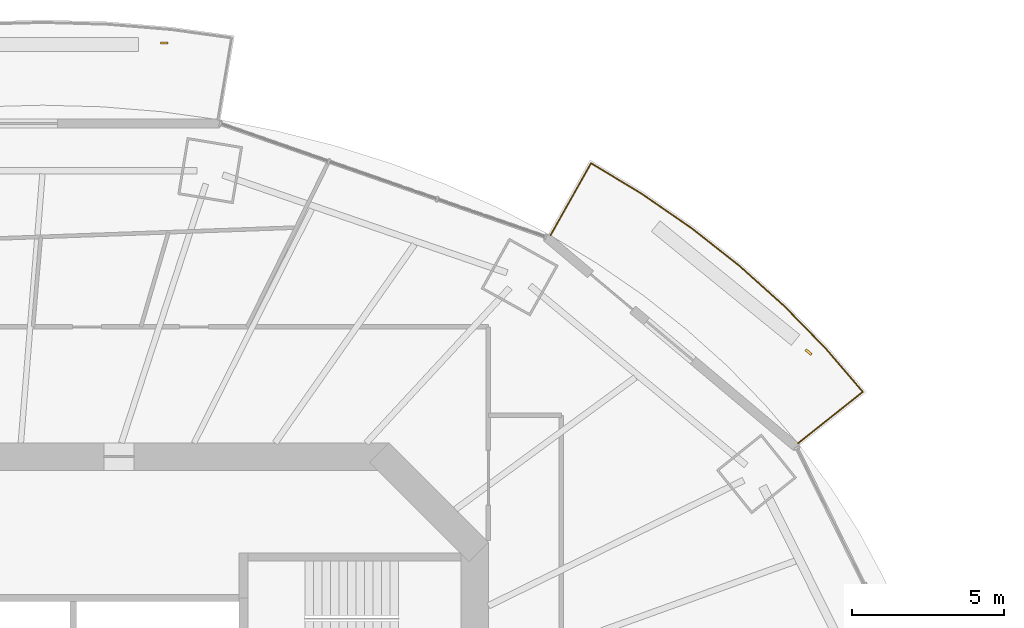
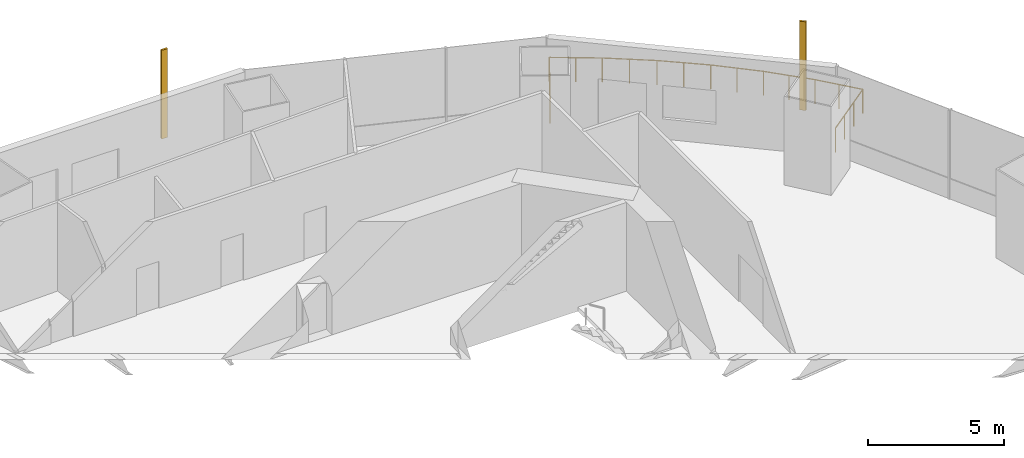
# One storey, part 18 of 19: 2 shading devices, 1 railing.
"""IFC4 building model written with IfcOpenShell, lengths in metres."""

from ifc_helpers import new_model, si_unit, direction, frame, origin, origin_2d, place, context, subcontext, project, spatial, rectangle, circle, extrude, material, material_profile, profile_set, type_object, element, save


model = new_model("IFC4")

# Units and contexts
model_context = context("Model", 3, precision=1e-05, world=origin(), true_north=direction((0.0, 1.0)))
body_context = subcontext(model_context, "Body", "Model", "MODEL_VIEW")
ifc_project = project(units=[si_unit("LENGTHUNIT", "METRE"), si_unit("AREAUNIT", "SQUARE_METRE"), si_unit("VOLUMEUNIT", "CUBIC_METRE"), si_unit("PLANEANGLEUNIT", "RADIAN"), si_unit("MASSUNIT", "GRAM", prefix="KILO")], contexts=[model_context])

# Site, building, storey
site_placement = place(None, origin())
site = spatial("IfcSite", under=ifc_project, at=site_placement, CompositionType="ELEMENT")
building_placement = place(site_placement, origin())
building = spatial("IfcBuilding", under=site, at=building_placement, Name="Marenthal Gate Tower", CompositionType="ELEMENT")
storey_placement = place(building_placement, frame((0.0, 0.0, 256.5)))
storey = spatial("IfcBuildingStorey", under=building, at=storey_placement, Name="L57", CompositionType="ELEMENT", Elevation=256.5)

# Railing
ifc_material_1 = material(Name="Stainless steel", Category="steel")
railing_type = type_object("IfcRailingType", Name="Balcony guard 1100", PredefinedType="GUARDRAIL", material=ifc_material_1)
railing_placement = place(storey_placement, frame((18.494140625, 20.275634765625, 0.0)))
element("IfcRailing", 1, at=railing_placement, inside=storey, type_object=railing_type, Name="Balcony guard L57 bay 2", PredefinedType="GUARDRAIL", context=body_context, shape_type="SweptSolid", body=[
    extrude(circle(Radius=0.02392578125, at=origin_2d()), frame((0.0, 0.0, 1.076171875), z_axis=(0.489935400912, 0.871634477681, -0.014718704112), x_axis=(-0.87172890858, 0.489988479401, 0.0)), (0.0, 0.0, 1.0), 2.72021484375),
    extrude(circle(Radius=0.02392578125, at=origin_2d()), frame((1.332763671875, 2.37109375, 1.0361328125), z_axis=(0.855927117695, -0.517096479581, 0.0), x_axis=(0.517096479581, 0.855927117695, 0.0)), (0.0, 0.0, 1.0), 1.94482421875),
    extrude(circle(Radius=0.02392578125, at=origin_2d()), frame((2.997314453125, 1.365478515625, 1.0361328125), z_axis=(0.823079547335, -0.567926103256, 0.0), x_axis=(0.567926103256, 0.823079547335, 0.0)), (0.0, 0.0, 1.0), 2.00830078125),
    extrude(circle(Radius=0.02392578125, at=origin_2d()), frame((4.650390625, 0.224853515625, 1.0361328125), z_axis=(0.785663114819, -0.618654564367, 0.0), x_axis=(0.618654564367, 0.785663114819, 0.0)), (0.0, 0.0, 1.0), 1.992431640625),
    extrude(circle(Radius=0.02392578125, at=origin_2d()), frame((6.2158203125, -1.0078125, 1.0361328125), z_axis=(0.744196610974, -0.667960630737, 0.0), x_axis=(0.667960630737, 0.744196610974, 0.0)), (0.0, 0.0, 1.0), 1.975830078125),
    extrude(circle(Radius=0.02392578125, at=origin_2d()), frame((7.686279296875, -2.32763671875, 1.0361328125), z_axis=(0.698521536326, -0.715589032398, 0.0), x_axis=(0.715589032398, 0.698521536326, 0.0)), (0.0, 0.0, 1.0), 1.959716796875),
    extrude(circle(Radius=0.02392578125, at=origin_2d()), frame((9.05517578125, -3.72998046875, 1.0361328125), z_axis=(0.649809223688, -0.760097344298, 0.0), x_axis=(0.760097344298, 0.649809223688, 0.0)), (0.0, 0.0, 1.0), 1.864013671875),
    extrude(circle(Radius=0.02392578125, at=origin_2d()), frame((10.266357421875, -5.146728515625, 1.0361328125), z_axis=(-0.783055581805, -0.621777543925, 0.014718752483), x_axis=(0.621844906334, -0.783140416826, 0.0)), (0.0, 0.0, 1.0), 2.72021484375),
    extrude(circle(Radius=0.02099609375, at=origin_2d()), origin(), (0.0, 0.0, 1.0), 1.052001953125),
    extrude(circle(Radius=0.02099609375, at=origin_2d()), frame((0.4443359375, 0.790283203125, -0.013427734375)), (0.0, 0.0, 1.0), 1.052001953125),
    extrude(circle(Radius=0.02099609375, at=origin_2d()), frame((0.888427734375, 1.580810546875, -0.026611328125)), (0.0, 0.0, 1.0), 1.052001953125),
    extrude(circle(Radius=0.02099609375, at=origin_2d()), frame((1.332763671875, 2.37109375, -0.0400390625)), (0.0, 0.0, 1.0), 1.052001953125),
    extrude(circle(Radius=0.02099609375, at=origin_2d()), frame((2.1650390625, 1.8681640625, -0.0400390625)), (0.0, 0.0, 1.0), 1.052001953125),
    extrude(circle(Radius=0.02099609375, at=origin_2d()), frame((2.997314453125, 1.365478515625, -0.0400390625)), (0.0, 0.0, 1.0), 1.052001953125),
    extrude(circle(Radius=0.02099609375, at=origin_2d()), frame((3.82373046875, 0.795166015625, -0.0400390625)), (0.0, 0.0, 1.0), 1.052001953125),
    extrude(circle(Radius=0.02099609375, at=origin_2d()), frame((4.650390625, 0.224853515625, -0.0400390625)), (0.0, 0.0, 1.0), 1.052001953125),
    extrude(circle(Radius=0.02099609375, at=origin_2d()), frame((5.43310546875, -0.3916015625, -0.0400390625)), (0.0, 0.0, 1.0), 1.052001953125),
    extrude(circle(Radius=0.02099609375, at=origin_2d()), frame((6.2158203125, -1.0078125, -0.0400390625)), (0.0, 0.0, 1.0), 1.052001953125),
    extrude(circle(Radius=0.02099609375, at=origin_2d()), frame((6.951171875, -1.667724609375, -0.0400390625)), (0.0, 0.0, 1.0), 1.052001953125),
    extrude(circle(Radius=0.02099609375, at=origin_2d()), frame((7.686279296875, -2.32763671875, -0.0400390625)), (0.0, 0.0, 1.0), 1.052001953125),
    extrude(circle(Radius=0.02099609375, at=origin_2d()), frame((8.37060546875, -3.02880859375, -0.0400390625)), (0.0, 0.0, 1.0), 1.052001953125),
    extrude(circle(Radius=0.02099609375, at=origin_2d()), frame((9.05517578125, -3.72998046875, -0.0400390625)), (0.0, 0.0, 1.0), 1.052001953125),
    extrude(circle(Radius=0.02099609375, at=origin_2d()), frame((9.66064453125, -4.4384765625, -0.0400390625)), (0.0, 0.0, 1.0), 1.052001953125),
    extrude(circle(Radius=0.02099609375, at=origin_2d()), frame((10.266357421875, -5.146728515625, -0.0400390625)), (0.0, 0.0, 1.0), 1.052001953125),
    extrude(circle(Radius=0.02099609375, at=origin_2d()), frame((9.556396484375, -5.71044921875, -0.026611328125)), (0.0, 0.0, 1.0), 1.052001953125),
    extrude(circle(Radius=0.02099609375, at=origin_2d()), frame((8.84619140625, -6.2744140625, -0.013427734375)), (0.0, 0.0, 1.0), 1.052001953125),
    extrude(circle(Radius=0.02099609375, at=origin_2d()), frame((8.13623046875, -6.838134765625, 0.0)), (0.0, 0.0, 1.0), 1.052001953125),
])

# Shading devices
ifc_material_2 = material(Name="Terracotta", Category="masonry")
ifc_material_profile = material_profile(ifc_material_2, rectangle(XDim=0.25, YDim=0.080078125, at=origin_2d()), Name="Terracotta baguette 250x80")
ifc_profile_set = profile_set([ifc_material_profile], Name="Terracotta")
shading_device_type = type_object("IfcShadingDeviceType", Name="Terracotta BAGUETTE SCREEN 250x80", PredefinedType="USERDEFINED", material=ifc_profile_set)
for number, where, z_axis, x_axis, name in (
    (2, (26.976806640625, 16.435302734375, -0.0400390625), (0.0, 0.0, 1.0), (-0.765398416376, 0.643556729597, 0.0), "Terracotta BAGUETTE L57 bay 2L"),
    (3, (5.799560546875, 26.597900390625, -0.0400390625), (0.0, 0.0, 1.0), (-1.0, 0.0, 0.0), "Terracotta BAGUETTE L57 bay 4L"),
):
    element("IfcShadingDevice", number, at=place(storey_placement, frame(where, z_axis=z_axis, x_axis=x_axis)), inside=storey, type_object=shading_device_type, Name=name, ObjectType="BAGUETTE SCREEN", PredefinedType="USERDEFINED", context=body_context, shape_type="SweptSolid", body=[
        extrude(rectangle(XDim=0.25, YDim=0.080078125, at=origin_2d()), origin(), (0.0, 0.0, 1.0), 3.969970703125),
    ])

save(model, "model.ifc")
